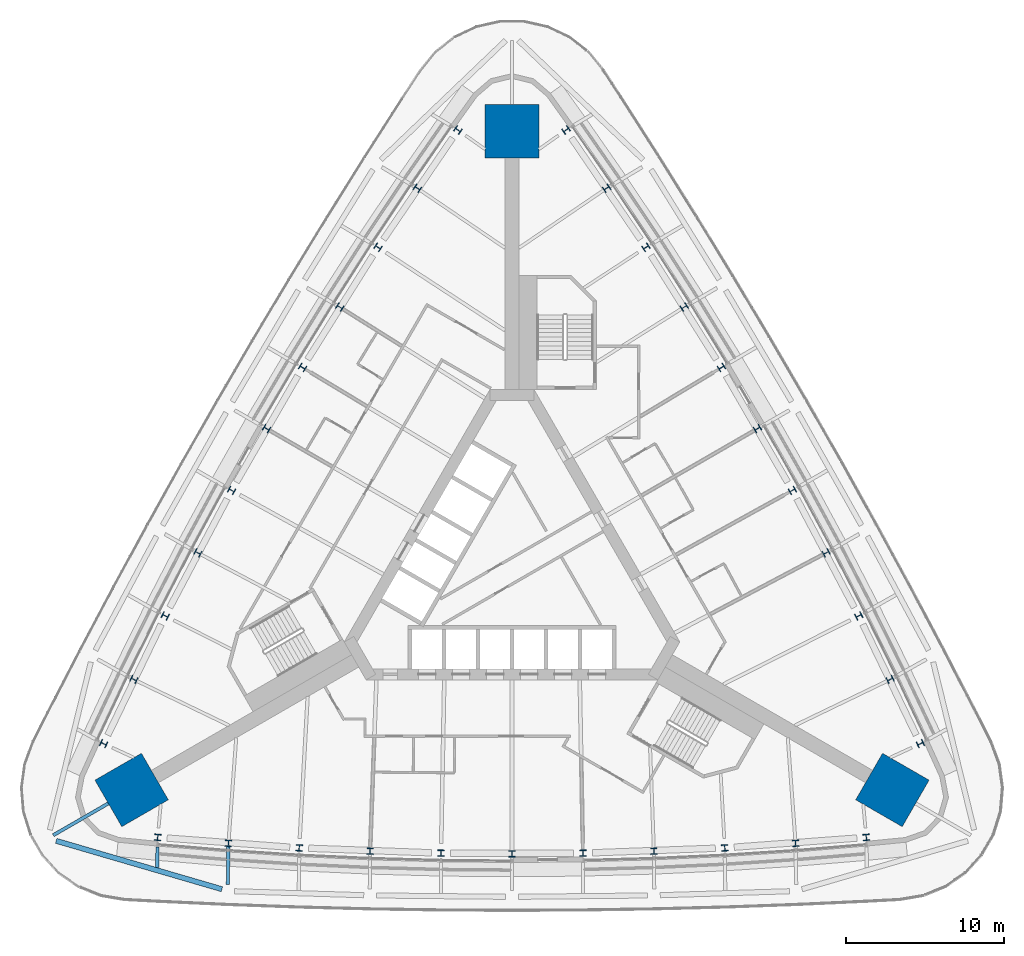
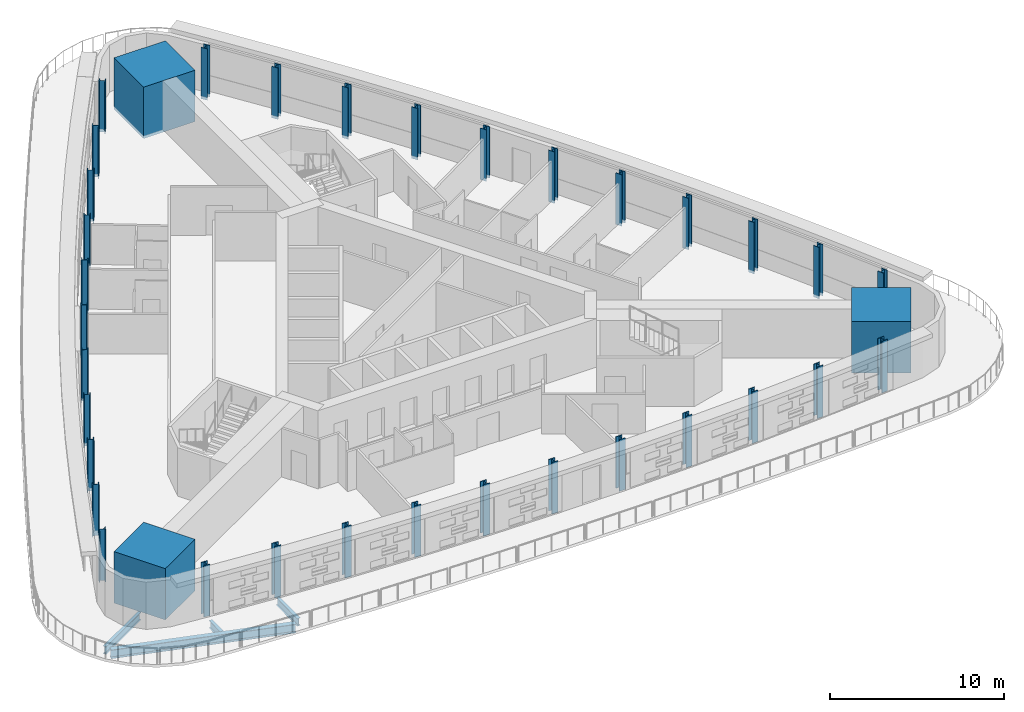
# One storey, part 1 of 14: 36 columns, 4 beams.
"""IFC4 building model written with IfcOpenShell, lengths in metres."""

from ifc_helpers import new_model, si_unit, direction, frame, origin, origin_2d, place, context, subcontext, project, spatial, rectangle, i_section, extrude, material, material_profile, profile_set, type_object, element, save


model = new_model("IFC4")

# Units and contexts
model_context = context("Model", 3, precision=1e-05, world=origin(), true_north=direction((0.0, 1.0)))
body_context = subcontext(model_context, "Body", "Model", "MODEL_VIEW")
ifc_project = project(units=[si_unit("LENGTHUNIT", "METRE"), si_unit("AREAUNIT", "SQUARE_METRE"), si_unit("VOLUMEUNIT", "CUBIC_METRE"), si_unit("PLANEANGLEUNIT", "RADIAN"), si_unit("MASSUNIT", "GRAM", prefix="KILO")], contexts=[model_context])

# Site, building, storey
site_placement = place(None, origin())
site = spatial("IfcSite", under=ifc_project, at=site_placement, CompositionType="ELEMENT")
building_placement = place(site_placement, origin())
building = spatial("IfcBuilding", under=site, at=building_placement, Name="Noor Cloister Tower", CompositionType="ELEMENT")
storey_placement = place(building_placement, frame((0.0, 0.0, 24.0)))
storey = spatial("IfcBuildingStorey", under=building, at=storey_placement, Name="L05", CompositionType="ELEMENT", Elevation=24.0)

# Columns
ifc_material_1 = material(Name="Steel ASTM A992 Gr 50", Category="steel")
ifc_material_profile_1 = material_profile(ifc_material_1, i_section(OverallWidth=0.404052734375, OverallDepth=0.406005859375, WebThickness=0.027099609375, FlangeThickness=0.043701171875, FilletRadius=0.01513671875, at=origin_2d()), Name="W360x347")
ifc_profile_set_1 = profile_set([ifc_material_profile_1], Name="Steel ASTM A992 Gr 50")
column_type_1 = type_object("IfcColumnType", Name="Column W360x347", PredefinedType="COLUMN", material=ifc_profile_set_1)
for number, where, z_axis, x_axis, name in (
    (1, (-3.421142578125, 27.85986328125, -0.199951171875), (0.0, 0.0, 1.0), (-0.578075535205, -0.815983256934, 0.0), "Column NW 01 L05"),
    (2, (-5.982421875, 24.17236328125, -0.199951171875), (0.0, 0.0, 1.0), (-0.562837238095, -0.826567748834, 0.0), "Column NW 02 L05"),
    (3, (-8.474853515625, 20.43798828125, -0.199951171875), (0.0, 0.0, 1.0), (-0.547405191489, -0.836867705394, 0.0), "Column NW 03 L05"),
    (4, (-10.8974609375, 16.657958984375, -0.199951171875), (0.0, 0.0, 1.0), (-0.531784707656, -0.846879580994, 0.0), "Column NW 04 L05"),
    (5, (-13.249755859375, 12.833740234375, -0.199951171875), (0.0, 0.0, 1.0), (-0.515981163775, -0.856599929156, 0.0), "Column NW 05 L05"),
    (6, (-15.530517578125, 8.966552734375, -0.199951171875), (0.0, 0.0, 1.0), (-0.5, -0.866025403784, 0.0), "Column NW 06 L05"),
    (7, (-17.7392578125, 5.0576171875, -0.199951171875), (0.0, 0.0, 1.0), (-0.483846717641, -0.875152760281, 0.0), "Column NW 07 L05"),
    (8, (-19.875, 1.1083984375, -0.199951171875), (0.0, 0.0, 1.0), (-0.467526877259, -0.883978856671, 0.0), "Column NW 08 L05"),
    (9, (-21.937255859375, -2.879638671875, -0.199951171875), (0.0, 0.0, 1.0), (-0.451046096733, -0.89250065469, 0.0), "Column NW 09 L05"),
    (10, (-23.925048828125, -6.9052734375, -0.199951171875), (0.0, 0.0, 1.0), (-0.434410049392, -0.900715220804, 0.0), "Column NW 10 L05"),
    (11, (-25.837890625, -10.96728515625, -0.199951171875), (0.0, 0.0, 1.0), (-0.417624461966, -0.908619727261, 0.0), "Column NW 11 L05"),
    (12, (-22.416748046875, -16.892578125, -0.199951171875), (0.0, 0.0, 1.0), (0.995699997171, -0.092636470327, 0.0), "Column S 01 L05"),
    (13, (-17.942626953125, -17.26708984375, -0.199951171875), (0.0, 0.0, 1.0), (0.997247287487, -0.074147471969, 0.0), "Column S 02 L05"),
    (14, (-13.46240234375, -17.558349609375, -0.199951171875), (0.0, 0.0, 1.0), (0.998451288222, -0.055632949296, 0.0), "Column S 03 L05"),
    (15, (-8.9775390625, -17.7666015625, -0.199951171875), (0.0, 0.0, 1.0), (0.999311584914, -0.037099275677, 0.0), "Column S 04 L05"),
    (16, (-4.489501953125, -17.8916015625, -0.199951171875), (0.0, 0.0, 1.0), (0.999827881416, -0.018552831126, 0.0), "Column S 05 L05"),
    (17, (0.0, -17.93310546875, -0.199951171875), (0.0, 0.0, 1.0), (1.0, 0.0, 0.0), "Column S 06 L05"),
    (18, (4.489501953125, -17.8916015625, -0.199951171875), (0.0, 0.0, 1.0), (0.999827881416, 0.018552831126, 0.0), "Column S 07 L05"),
    (19, (8.9775390625, -17.7666015625, -0.199951171875), (0.0, 0.0, 1.0), (0.999311584914, 0.037099275677, 0.0), "Column S 08 L05"),
    (20, (13.46240234375, -17.558349609375, -0.199951171875), (0.0, 0.0, 1.0), (0.998451288222, 0.055632949296, 0.0), "Column S 09 L05"),
    (21, (17.942626953125, -17.26708984375, -0.199951171875), (0.0, 0.0, 1.0), (0.997247287487, 0.074147471969, 0.0), "Column S 10 L05"),
    (22, (22.416748046875, -16.892578125, -0.199951171875), (0.0, 0.0, 1.0), (0.995699997171, 0.092636470327, 0.0), "Column S 11 L05"),
    (23, (25.837890625, -10.96728515625, -0.199951171875), (0.0, 0.0, 1.0), (-0.417624461966, 0.908619727261, 0.0), "Column NE 01 L05"),
    (24, (23.925048828125, -6.9052734375, -0.199951171875), (0.0, 0.0, 1.0), (-0.434410049392, 0.900715220804, 0.0), "Column NE 02 L05"),
    (25, (21.937255859375, -2.879638671875, -0.199951171875), (0.0, 0.0, 1.0), (-0.451046096733, 0.89250065469, 0.0), "Column NE 03 L05"),
    (26, (19.875, 1.1083984375, -0.199951171875), (0.0, 0.0, 1.0), (-0.467526877259, 0.883978856671, 0.0), "Column NE 04 L05"),
    (27, (17.7392578125, 5.0576171875, -0.199951171875), (0.0, 0.0, 1.0), (-0.483846717641, 0.875152760281, 0.0), "Column NE 05 L05"),
    (28, (15.530517578125, 8.966552734375, -0.199951171875), (0.0, 0.0, 1.0), (-0.5, 0.866025403784, 0.0), "Column NE 06 L05"),
    (29, (13.249755859375, 12.833740234375, -0.199951171875), (0.0, 0.0, 1.0), (-0.515981163775, 0.856599929156, 0.0), "Column NE 07 L05"),
    (30, (10.8974609375, 16.657958984375, -0.199951171875), (0.0, 0.0, 1.0), (-0.531784707656, 0.846879580994, 0.0), "Column NE 08 L05"),
    (31, (8.474853515625, 20.43798828125, -0.199951171875), (0.0, 0.0, 1.0), (-0.547405191489, 0.836867705394, 0.0), "Column NE 09 L05"),
    (32, (5.982421875, 24.17236328125, -0.199951171875), (0.0, 0.0, 1.0), (-0.562837238095, 0.826567748834, 0.0), "Column NE 10 L05"),
    (33, (3.421142578125, 27.85986328125, -0.199951171875), (0.0, 0.0, 1.0), (-0.578075535205, 0.815983256934, 0.0), "Column NE 11 L05"),
):
    element("IfcColumn", number, at=place(storey_placement, frame(where, z_axis=z_axis, x_axis=x_axis)), inside=storey, type_object=column_type_1, Name=name, PredefinedType="COLUMN", context=body_context, shape_type="SweptSolid", body=[
        extrude(i_section(OverallWidth=0.404052734375, OverallDepth=0.406005859375, WebThickness=0.027099609375, FlangeThickness=0.043701171875, FilletRadius=0.01513671875, at=origin_2d()), origin(), (0.0, 0.0, 1.0), 3.599853515625),
    ])
ifc_material_2 = material(Name="Concrete C80/95", Category="concrete")
ifc_material_profile_2 = material_profile(ifc_material_2, rectangle(XDim=3.39990234375, YDim=3.39990234375, at=origin_2d()), Name="RC 3400x3400")
ifc_profile_set_2 = profile_set([ifc_material_profile_2], Name="Concrete C80/95")
column_type_2 = type_object("IfcColumnType", Name="Corner pier 3400 x 3400 C80/95", PredefinedType="COLUMN", material=ifc_profile_set_2)
for number, where, z_axis, x_axis, name in (
    (34, (0.0, 27.7890625, -0.199951171875), (0.0, 0.0, 1.0), (0.0, 1.0, 0.0), "Corner pier N L05"),
    (35, (-24.06591796875, -13.89453125, -0.199951171875), (0.0, 0.0, 1.0), (-0.866025403784, -0.5, 0.0), "Corner pier SW L05"),
    (36, (24.06591796875, -13.89453125, -0.199951171875), (0.0, 0.0, 1.0), (0.866025403784, -0.5, 0.0), "Corner pier SE L05"),
):
    element("IfcColumn", number, at=place(storey_placement, frame(where, z_axis=z_axis, x_axis=x_axis)), inside=storey, type_object=column_type_2, Name=name, PredefinedType="COLUMN", context=body_context, shape_type="SweptSolid", body=[
        extrude(rectangle(XDim=3.39990234375, YDim=3.39990234375, at=origin_2d()), origin(), (0.0, 0.0, 1.0), 3.599853515625),
    ])

# Beams
ifc_material_3 = material(Name="Steel ASTM A992 Gr 50", Category="steel")
ifc_material_profile_3 = material_profile(ifc_material_3, i_section(OverallWidth=0.324951171875, OverallDepth=0.616943359375, WebThickness=0.013916015625, FlangeThickness=0.021484375, FilletRadius=0.0126953125, at=origin_2d()), Name="W610x174")
ifc_profile_set_3 = profile_set([ifc_material_profile_3], Name="Steel ASTM A992 Gr 50")
beam_type_1 = type_object("IfcBeamType", Name="Podium perimeter beam W610x174", PredefinedType="BEAM", material=ifc_profile_set_3)
beam_1_placement = place(storey_placement, frame((-28.83837890625, -17.111572265625, -0.508544921875), z_axis=(0.959935397728, -0.280221398522, 0.0), x_axis=(0.280221398522, 0.959935397728, 0.0)))
element("IfcBeam", 37, at=beam_1_placement, inside=storey, type_object=beam_type_1, Name="Podium perimeter beam 07 L05", PredefinedType="BEAM", context=body_context, shape_type="SweptSolid", body=[
    extrude(i_section(OverallWidth=0.324951171875, OverallDepth=0.616943359375, WebThickness=0.013916015625, FlangeThickness=0.021484375, FilletRadius=0.0126953125, at=origin_2d()), origin(), (0.0, 0.0, 1.0), 10.924560546875),
])
ifc_material_4 = material(Name="Steel ASTM A992 Gr 50", Category="steel")
ifc_material_profile_4 = material_profile(ifc_material_4, i_section(OverallWidth=0.208984375, OverallDepth=0.532958984375, WebThickness=0.01025390625, FlangeThickness=0.015625, FilletRadius=0.0126953125, at=origin_2d()), Name="W530x92")
ifc_profile_set_4 = profile_set([ifc_material_profile_4], Name="Steel ASTM A992 Gr 50")
beam_type_2 = type_object("IfcBeamType", Name="Podium stub beam W530x92", PredefinedType="BEAM", material=ifc_profile_set_4)
beam_2_placement = place(storey_placement, frame((-22.427490234375, -17.494140625, -0.466552734375), z_axis=(-0.017661803966, -0.999844018175, 0.0), x_axis=(0.999844018175, -0.017661803966, 0.0)))
element("IfcBeam", 38, at=beam_2_placement, inside=storey, type_object=beam_type_2, Name="Podium stub beam S 00 L05", PredefinedType="BEAM", context=body_context, shape_type="SweptSolid", body=[
    extrude(i_section(OverallWidth=0.208984375, OverallDepth=0.532958984375, WebThickness=0.01025390625, FlangeThickness=0.015625, FilletRadius=0.0126953125, at=origin_2d()), origin(), (0.0, 0.0, 1.0), 1.313232421875),
])
beam_3_placement = place(storey_placement, frame((-17.94482421875, -17.427734375, -0.466552734375), z_axis=(-0.01310191284, -0.999914166256, 0.0), x_axis=(0.999914166256, -0.01310191284, 0.0)))
element("IfcBeam", 39, at=beam_3_placement, inside=storey, type_object=beam_type_2, Name="Podium stub beam S 01 L05", PredefinedType="BEAM", context=body_context, shape_type="SweptSolid", body=[
    extrude(i_section(OverallWidth=0.208984375, OverallDepth=0.532958984375, WebThickness=0.01025390625, FlangeThickness=0.015625, FilletRadius=0.0126953125, at=origin_2d()), origin(), (0.0, 0.0, 1.0), 2.459716796875),
])
beam_4_placement = place(storey_placement, frame((-25.538330078125, -14.744384765625, -0.466552734375), z_axis=(-0.866001699761, -0.500041054325, 0.0), x_axis=(0.500041054325, -0.866001699761, 0.0)))
element("IfcBeam", 40, at=beam_4_placement, inside=storey, type_object=beam_type_2, Name="Podium corner stub beam SW L05", PredefinedType="BEAM", context=body_context, shape_type="SweptSolid", body=[
    extrude(i_section(OverallWidth=0.208984375, OverallDepth=0.532958984375, WebThickness=0.01025390625, FlangeThickness=0.015625, FilletRadius=0.0126953125, at=origin_2d()), origin(), (0.0, 0.0, 1.0), 4.024169921875),
])

save(model, "model.ifc")
